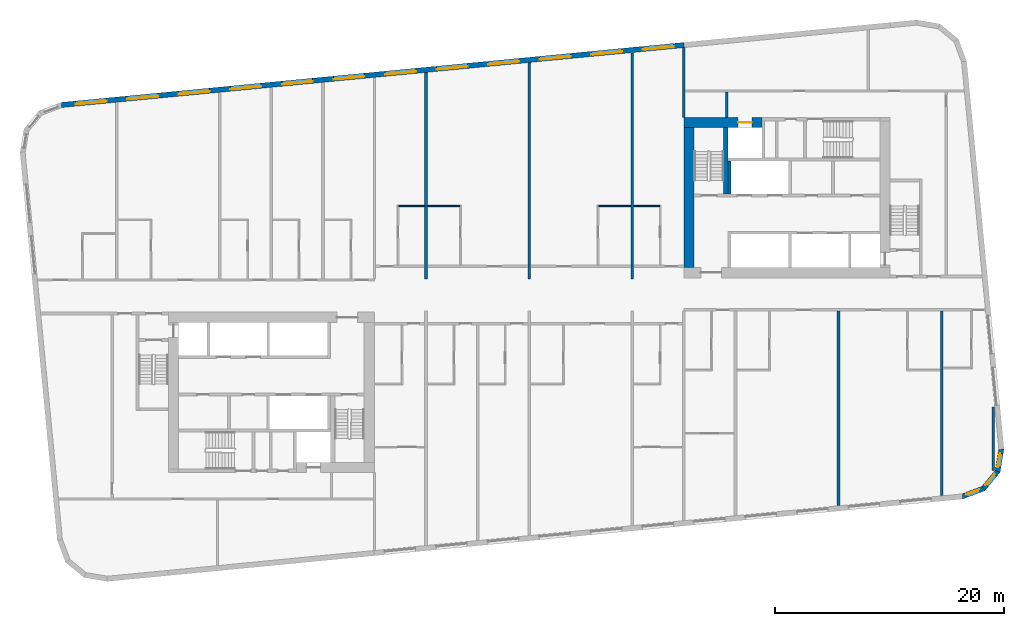
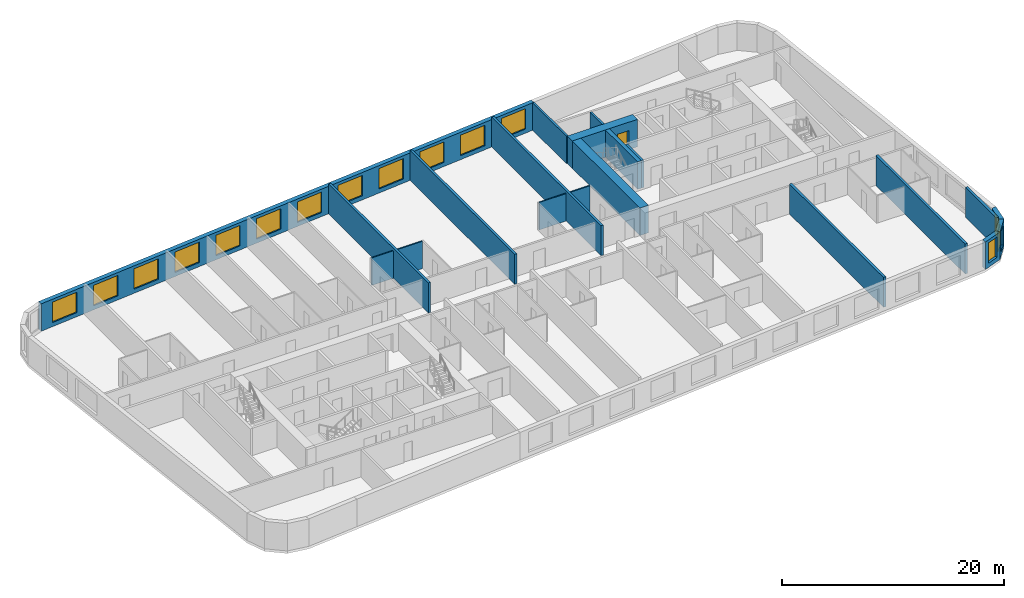
# One storey, part 6 of 12: 20 walls, 15 windows, 1 door, 16 openings.
"""IFC4 building model written with IfcOpenShell, lengths in metres."""

from ifc_helpers import new_model, si_unit, direction, frame, frame_2d, origin, place, context, subcontext, project, spatial, polyline, rectangle, outline, extrude, material, layer, layer_set, type_object, element, fill, save


model = new_model("IFC4")

# Units and contexts
model_context = context("Model", 3, precision=1e-05, world=origin(), true_north=direction((0.0, 1.0)))
body_context = subcontext(model_context, "Body", "Model", "MODEL_VIEW")
ifc_project = project(units=[si_unit("LENGTHUNIT", "METRE"), si_unit("AREAUNIT", "SQUARE_METRE"), si_unit("VOLUMEUNIT", "CUBIC_METRE"), si_unit("PLANEANGLEUNIT", "RADIAN"), si_unit("MASSUNIT", "GRAM", prefix="KILO")], contexts=[model_context])

# Site, building, storey
site_placement = place(None, origin())
site = spatial("IfcSite", under=ifc_project, at=site_placement, CompositionType="ELEMENT")
building_placement = place(site_placement, origin())
building = spatial("IfcBuilding", under=site, at=building_placement, Name="Kajstack Hotel Tower", CompositionType="ELEMENT")
storey_placement = place(building_placement, frame((0.0, 0.0, 180.10009765625)))
storey = spatial("IfcBuildingStorey", under=building, at=storey_placement, Name="L42", CompositionType="ELEMENT", Elevation=180.10009765625)

# Wall, opening, door
ifc_material_1 = material(Name="Concrete C60/75", Category="concrete")
ifc_layer_1 = layer(ifc_material_1, 0.89990234375)
ifc_layer_set_1 = layer_set([ifc_layer_1], Name="Core wall 900")
wall_type_1 = type_object("IfcWallType", Name="Core wall 900", PredefinedType="SHEAR", material=ifc_layer_set_1)
wall_1_placement = place(storey_placement, frame((13.5, 15.050048828125, 0.0), z_axis=(0.0, 0.0, 1.0), x_axis=(1.0, 0.0, 0.0)))
wall_1 = element("IfcWall", 1, at=wall_1_placement, inside=storey, type_object=wall_type_1, Name="Core wall E RS", PredefinedType="SHEAR", context=body_context, shape_type="SweptSolid", body=[
    extrude(rectangle(XDim=6.800048828125, YDim=0.89990234375, at=frame_2d((3.39990234375, 0.0))), origin(), (0.0, 0.0, 1.0), 3.02001953125),
])
opening_1_placement = place(wall_1_placement, frame((4.72509765625, 0.0, 0.0)))
opening_1 = element("IfcOpeningElement", 2, at=opening_1_placement, cuts=wall_1, Name="Opening LD-SV2", PredefinedType="OPENING", context=body_context, shape_type="SweptSolid", body=[
    extrude(rectangle(XDim=1.199951171875, YDim=2.10009765625, at=frame_2d((0.60009765625, 1.050048828125))), frame((0.0, 0.4599609375, 0.0), z_axis=(0.0, -1.0, 0.0), x_axis=(1.0, 0.0, 0.0)), (0.0, 0.0, 1.0), 0.919921875),
])
ifc_material_2 = material(Name="Stainless steel", Category="steel")
door_type = type_object("IfcDoorType", Name="Lift landing door 1200", OperationType="SLIDING_TO_LEFT", PredefinedType="DOOR", material=ifc_material_2)
door_placement = place(opening_1_placement, origin())
door = element("IfcDoor", 3, at=door_placement, inside=storey, type_object=door_type, Name="Landing door SV2", OperationType="SLIDING_TO_LEFT", OverallHeight=2.10009765625, OverallWidth=1.199951171875, PredefinedType="DOOR", context=body_context, shape_type="SweptSolid", body=[
    extrude(rectangle(XDim=1.199951171875, YDim=2.10009765625, at=frame_2d((0.60009765625, 1.050048828125))), frame((0.0, 0.02490234375, 0.0), z_axis=(0.0, -1.0, 0.0), x_axis=(1.0, 0.0, 0.0)), (0.0, 0.0, 1.0), 0.050048828125),
])
fill(opening_1, door)

# Walls
wall_2_placement = place(storey_placement, frame((13.949951171875, 2.39990234375, 0.0), z_axis=(0.0, 0.0, 1.0), x_axis=(0.0, 1.0, 0.0)))
element("IfcWall", 4, at=wall_2_placement, inside=storey, type_object=wall_type_1, Name="Core wall E RE", PredefinedType="SHEAR", context=body_context, shape_type="SweptSolid", body=[
    extrude(rectangle(XDim=12.2001953125, YDim=0.89990234375, at=frame_2d((6.10009765625, 0.0))), origin(), (0.0, 0.0, 1.0), 3.02001953125),
])
ifc_material_3 = material(Name="Twin-frame gypsum board on steel studs, mineral wool", Category="steel")
ifc_layer_2 = layer(ifc_material_3, 0.199951171875)
ifc_layer_set_2 = layer_set([ifc_layer_2], Name="Demising wall 200")
wall_type_2 = type_object("IfcWallType", Name="Demising wall 200", PredefinedType="PARTITIONING", material=ifc_layer_set_2)
wall_3_placement = place(storey_placement, frame((13.5, 15.5, 0.0), z_axis=(0.0, 0.0, 1.0), x_axis=(0.0, 1.0, 0.0)))
element("IfcWall", 5, at=wall_3_placement, inside=storey, type_object=wall_type_2, Name="G-wall-L42-001", PredefinedType="PARTITIONING", context=body_context, shape_type="SweptSolid", body=[
    extrude(rectangle(XDim=6.089111328125, YDim=0.199951171875, at=frame_2d((3.04443359375, 0.0))), origin(), (0.0, 0.0, 1.0), 3.02001953125),
])

# Wall, opening, window
ifc_material_4 = material(Name="Terracotta-faced brick masonry", Category="masonry")
ifc_layer_3 = layer(ifc_material_4, 0.449951171875)
ifc_layer_set_3 = layer_set([ifc_layer_3], Name="EW-TERRA")
wall_type_3 = type_object("IfcWallType", Name="EW-TERRA", PredefinedType="SOLIDWALL", material=ifc_layer_set_3)
wall_4_placement = place(storey_placement, frame((37.76123046875, -17.598388671875, 0.0), z_axis=(0.0, 0.0, 1.0), x_axis=(0.936677599948, 0.350192909346, 0.0)))
wall_4 = element("IfcWall", 6, at=wall_4_placement, inside=storey, type_object=wall_type_3, Name="E-wall-L42-05-00", PredefinedType="SOLIDWALL", context=body_context, shape_type="SweptSolid", body=[
    extrude(outline(polyline([(0.0, -0.22509765625), (2.070556640625, -0.224853515625), (1.949951171875, 0.22509765625), (0.12060546875, 0.22509765625), (0.0, -0.22509765625)])), origin(), (0.0, 0.0, 1.0), 3.02001953125),
])
opening_2_placement = place(wall_4_placement, frame((0.435302734375, 0.0, 0.449951171875)))
opening_2 = element("IfcOpeningElement", 7, at=opening_2_placement, cuts=wall_4, Name="Opening W3", PredefinedType="OPENING", context=body_context, shape_type="SweptSolid", body=[
    extrude(rectangle(XDim=1.199951171875, YDim=2.25, at=frame_2d((0.60009765625, 1.125))), frame((0.0, 0.23486328125, 0.0), z_axis=(0.0, -1.0, 0.0), x_axis=(1.0, 0.0, 0.0)), (0.0, 0.0, 1.0), 0.469970703125),
])
ifc_material_5 = material(Name="Timber-aluminium window, triple glazed", Category="wood")
window_type_1 = type_object("IfcWindowType", Name="WG3", PartitioningType="SINGLE_PANEL", PredefinedType="WINDOW", material=ifc_material_5)
window_1_placement = place(opening_2_placement, origin())
window_1 = element("IfcWindow", 8, at=window_1_placement, inside=storey, type_object=window_type_1, Name="Window W3 L42-05", OverallHeight=2.25, OverallWidth=1.199951171875, PartitioningType="SINGLE_PANEL", PredefinedType="WINDOW", context=body_context, shape_type="SweptSolid", body=[
    extrude(rectangle(XDim=1.199951171875, YDim=2.25, at=frame_2d((0.60009765625, 1.125))), frame((0.0, 0.090087890625, 0.0), z_axis=(0.0, -1.0, 0.0), x_axis=(1.0, 0.0, 0.0)), (0.0, 0.0, 1.0), 0.06005859375),
])
fill(opening_2, window_1)

wall_5_placement = place(storey_placement, frame((39.60595703125, -16.94091796875, 0.0), z_axis=(0.0, 0.0, 1.0), x_axis=(0.636116318187, 0.771593176315, 0.0)))
wall_5 = element("IfcWall", 9, at=wall_5_placement, inside=storey, type_object=wall_type_3, Name="E-wall-L42-06-00", PredefinedType="SOLIDWALL", context=body_context, shape_type="SweptSolid", body=[
    extrude(outline(polyline([(0.0, -0.224853515625), (2.070556640625, -0.224853515625), (1.949951171875, 0.22509765625), (0.12060546875, 0.22509765625), (0.0, -0.224853515625)])), origin(), (0.0, 0.0, 1.0), 3.02001953125),
])
opening_3_placement = place(wall_5_placement, frame((0.435302734375, 0.0, 0.449951171875)))
opening_3 = element("IfcOpeningElement", 10, at=opening_3_placement, cuts=wall_5, Name="Opening W3", PredefinedType="OPENING", context=body_context, shape_type="SweptSolid", body=[
    extrude(rectangle(XDim=1.199951171875, YDim=2.25, at=frame_2d((0.60009765625, 1.125))), frame((0.0, 0.23486328125, 0.0), z_axis=(0.0, -1.0, 0.0), x_axis=(1.0, 0.0, 0.0)), (0.0, 0.0, 1.0), 0.469970703125),
])
window_2_placement = place(opening_3_placement, origin())
window_2 = element("IfcWindow", 11, at=window_2_placement, inside=storey, type_object=window_type_1, Name="Window W3 L42-06", OverallHeight=2.25, OverallWidth=1.199951171875, PartitioningType="SINGLE_PANEL", PredefinedType="WINDOW", context=body_context, shape_type="SweptSolid", body=[
    extrude(rectangle(XDim=1.199951171875, YDim=2.25, at=frame_2d((0.60009765625, 1.125))), frame((0.0, 0.090087890625, 0.0), z_axis=(0.0, -1.0, 0.0), x_axis=(1.0, 0.0, 0.0)), (0.0, 0.0, 1.0), 0.06005859375),
])
fill(opening_3, window_2)

wall_6_placement = place(storey_placement, frame((40.874755859375, -15.44921875, 0.0), z_axis=(0.0, 0.0, 1.0), x_axis=(0.164953448126, 0.986301353518, 0.0)))
wall_6 = element("IfcWall", 12, at=wall_6_placement, inside=storey, type_object=wall_type_3, Name="E-wall-L42-07-00", PredefinedType="SOLIDWALL", context=body_context, shape_type="SweptSolid", body=[
    extrude(outline(polyline([(0.0, -0.224853515625), (2.070556640625, -0.22509765625), (1.9501953125, 0.224853515625), (0.12060546875, 0.22509765625), (0.0, -0.224853515625)])), origin(), (0.0, 0.0, 1.0), 3.02001953125),
])
opening_4_placement = place(wall_6_placement, frame((0.435302734375, 0.0, 0.449951171875)))
opening_4 = element("IfcOpeningElement", 13, at=opening_4_placement, cuts=wall_6, Name="Opening W3", PredefinedType="OPENING", context=body_context, shape_type="SweptSolid", body=[
    extrude(rectangle(XDim=1.199951171875, YDim=2.25, at=frame_2d((0.60009765625, 1.125))), frame((0.0, 0.23486328125, 0.0), z_axis=(0.0, -1.0, 0.0), x_axis=(1.0, 0.0, 0.0)), (0.0, 0.0, 1.0), 0.469970703125),
])
window_3_placement = place(opening_4_placement, origin())
window_3 = element("IfcWindow", 14, at=window_3_placement, inside=storey, type_object=window_type_1, Name="Window W3 L42-07", OverallHeight=2.25, OverallWidth=1.199951171875, PartitioningType="SINGLE_PANEL", PredefinedType="WINDOW", context=body_context, shape_type="SweptSolid", body=[
    extrude(rectangle(XDim=1.199951171875, YDim=2.25, at=frame_2d((0.60009765625, 1.125))), frame((0.0, 0.090087890625, 0.0), z_axis=(0.0, -1.0, 0.0), x_axis=(1.0, 0.0, 0.0)), (0.0, 0.0, 1.0), 0.06005859375),
])
fill(opening_4, window_3)

# Wall, openings, windows
wall_7_placement = place(storey_placement, frame((13.521484375, 21.8173828125, 0.0), z_axis=(0.0, 0.0, 1.0), x_axis=(-0.995396508751, -0.095842529008, 0.0)))
wall_7 = element("IfcWall", 15, at=wall_7_placement, inside=storey, type_object=wall_type_3, Name="E-wall-L42-12-02", PredefinedType="SOLIDWALL", context=body_context, shape_type="SweptSolid", body=[
    extrude(rectangle(XDim=54.59130859375, YDim=0.449951171875, at=frame_2d((27.295654296875, 0.0))), origin(), (0.0, 0.0, 1.0), 3.02001953125),
])
opening_5_placement = place(wall_7_placement, frame((0.910400390625, 0.0, 0.449951171875)))
opening_5 = element("IfcOpeningElement", 16, at=opening_5_placement, cuts=wall_7, Name="Opening W1", PredefinedType="OPENING", context=body_context, shape_type="SweptSolid", body=[
    extrude(rectangle(XDim=2.699951171875, YDim=2.25, at=frame_2d((1.35009765625, 1.125))), frame((0.0, 0.23486328125, 0.0), z_axis=(0.0, -1.0, 0.0), x_axis=(1.0, 0.0, 0.0)), (0.0, 0.0, 1.0), 0.469970703125),
])
opening_6_placement = place(wall_7_placement, frame((5.43115234375, 0.0, 0.449951171875)))
opening_6 = element("IfcOpeningElement", 17, at=opening_6_placement, cuts=wall_7, Name="Opening W1", PredefinedType="OPENING", context=body_context, shape_type="SweptSolid", body=[
    extrude(rectangle(XDim=2.699951171875, YDim=2.25, at=frame_2d((1.35009765625, 1.125))), frame((0.0, 0.23486328125, 0.0), z_axis=(0.0, -1.0, 0.0), x_axis=(1.0, 0.0, 0.0)), (0.0, 0.0, 1.0), 0.469970703125),
])
opening_7_placement = place(wall_7_placement, frame((9.951904296875, 0.0, 0.449951171875)))
opening_7 = element("IfcOpeningElement", 18, at=opening_7_placement, cuts=wall_7, Name="Opening W1", PredefinedType="OPENING", context=body_context, shape_type="SweptSolid", body=[
    extrude(rectangle(XDim=2.699951171875, YDim=2.25, at=frame_2d((1.35009765625, 1.125))), frame((0.0, 0.23486328125, 0.0), z_axis=(0.0, -1.0, 0.0), x_axis=(1.0, 0.0, 0.0)), (0.0, 0.0, 1.0), 0.469970703125),
])
opening_8_placement = place(wall_7_placement, frame((14.472900390625, 0.0, 0.449951171875)))
opening_8 = element("IfcOpeningElement", 19, at=opening_8_placement, cuts=wall_7, Name="Opening W1", PredefinedType="OPENING", context=body_context, shape_type="SweptSolid", body=[
    extrude(rectangle(XDim=2.699951171875, YDim=2.25, at=frame_2d((1.35009765625, 1.125))), frame((0.0, 0.23486328125, 0.0), z_axis=(0.0, -1.0, 0.0), x_axis=(1.0, 0.0, 0.0)), (0.0, 0.0, 1.0), 0.469970703125),
])
opening_9_placement = place(wall_7_placement, frame((18.99365234375, 0.0, 0.449951171875)))
opening_9 = element("IfcOpeningElement", 20, at=opening_9_placement, cuts=wall_7, Name="Opening W1", PredefinedType="OPENING", context=body_context, shape_type="SweptSolid", body=[
    extrude(rectangle(XDim=2.699951171875, YDim=2.25, at=frame_2d((1.35009765625, 1.125))), frame((0.0, 0.23486328125, 0.0), z_axis=(0.0, -1.0, 0.0), x_axis=(1.0, 0.0, 0.0)), (0.0, 0.0, 1.0), 0.469970703125),
])
opening_10_placement = place(wall_7_placement, frame((23.514404296875, 0.0, 0.449951171875)))
opening_10 = element("IfcOpeningElement", 21, at=opening_10_placement, cuts=wall_7, Name="Opening W1", PredefinedType="OPENING", context=body_context, shape_type="SweptSolid", body=[
    extrude(rectangle(XDim=2.699951171875, YDim=2.25, at=frame_2d((1.35009765625, 1.125))), frame((0.0, 0.23486328125, 0.0), z_axis=(0.0, -1.0, 0.0), x_axis=(1.0, 0.0, 0.0)), (0.0, 0.0, 1.0), 0.469970703125),
])
opening_11_placement = place(wall_7_placement, frame((28.03515625, 0.0, 0.449951171875)))
opening_11 = element("IfcOpeningElement", 22, at=opening_11_placement, cuts=wall_7, Name="Opening W1", PredefinedType="OPENING", context=body_context, shape_type="SweptSolid", body=[
    extrude(rectangle(XDim=2.699951171875, YDim=2.25, at=frame_2d((1.35009765625, 1.125))), frame((0.0, 0.23486328125, 0.0), z_axis=(0.0, -1.0, 0.0), x_axis=(1.0, 0.0, 0.0)), (0.0, 0.0, 1.0), 0.469970703125),
])
opening_12_placement = place(wall_7_placement, frame((32.555908203125, 0.0, 0.449951171875)))
opening_12 = element("IfcOpeningElement", 23, at=opening_12_placement, cuts=wall_7, Name="Opening W1", PredefinedType="OPENING", context=body_context, shape_type="SweptSolid", body=[
    extrude(rectangle(XDim=2.699951171875, YDim=2.25, at=frame_2d((1.35009765625, 1.125))), frame((0.0, 0.23486328125, 0.0), z_axis=(0.0, -1.0, 0.0), x_axis=(1.0, 0.0, 0.0)), (0.0, 0.0, 1.0), 0.469970703125),
])
opening_13_placement = place(wall_7_placement, frame((37.076904296875, 0.0, 0.449951171875)))
opening_13 = element("IfcOpeningElement", 24, at=opening_13_placement, cuts=wall_7, Name="Opening W1", PredefinedType="OPENING", context=body_context, shape_type="SweptSolid", body=[
    extrude(rectangle(XDim=2.699951171875, YDim=2.25, at=frame_2d((1.35009765625, 1.125))), frame((0.0, 0.23486328125, 0.0), z_axis=(0.0, -1.0, 0.0), x_axis=(1.0, 0.0, 0.0)), (0.0, 0.0, 1.0), 0.469970703125),
])
opening_14_placement = place(wall_7_placement, frame((41.59765625, 0.0, 0.449951171875)))
opening_14 = element("IfcOpeningElement", 25, at=opening_14_placement, cuts=wall_7, Name="Opening W1", PredefinedType="OPENING", context=body_context, shape_type="SweptSolid", body=[
    extrude(rectangle(XDim=2.699951171875, YDim=2.25, at=frame_2d((1.35009765625, 1.125))), frame((0.0, 0.23486328125, 0.0), z_axis=(0.0, -1.0, 0.0), x_axis=(1.0, 0.0, 0.0)), (0.0, 0.0, 1.0), 0.469970703125),
])
opening_15_placement = place(wall_7_placement, frame((46.118408203125, 0.0, 0.449951171875)))
opening_15 = element("IfcOpeningElement", 26, at=opening_15_placement, cuts=wall_7, Name="Opening W1", PredefinedType="OPENING", context=body_context, shape_type="SweptSolid", body=[
    extrude(rectangle(XDim=2.699951171875, YDim=2.25, at=frame_2d((1.35009765625, 1.125))), frame((0.0, 0.23486328125, 0.0), z_axis=(0.0, -1.0, 0.0), x_axis=(1.0, 0.0, 0.0)), (0.0, 0.0, 1.0), 0.469970703125),
])
opening_16_placement = place(wall_7_placement, frame((50.62890625, 0.0, 0.449951171875)))
opening_16 = element("IfcOpeningElement", 27, at=opening_16_placement, cuts=wall_7, Name="Opening W1", PredefinedType="OPENING", context=body_context, shape_type="SweptSolid", body=[
    extrude(rectangle(XDim=2.699951171875, YDim=2.25, at=frame_2d((1.35009765625, 1.125))), frame((0.0, 0.23486328125, 0.0), z_axis=(0.0, -1.0, 0.0), x_axis=(1.0, 0.0, 0.0)), (0.0, 0.0, 1.0), 0.469970703125),
])
window_type_2 = type_object("IfcWindowType", Name="WG1", PartitioningType="SINGLE_PANEL", PredefinedType="WINDOW", material=ifc_material_5)
window_4_placement = place(opening_5_placement, origin())
window_4 = element("IfcWindow", 28, at=window_4_placement, inside=storey, type_object=window_type_2, Name="Window W1 L42-12", OverallHeight=2.25, OverallWidth=2.699951171875, PartitioningType="SINGLE_PANEL", PredefinedType="WINDOW", context=body_context, shape_type="SweptSolid", body=[
    extrude(rectangle(XDim=2.699951171875, YDim=2.25, at=frame_2d((1.35009765625, 1.125))), frame((0.0, 0.090087890625, 0.0), z_axis=(0.0, -1.0, 0.0), x_axis=(1.0, 0.0, 0.0)), (0.0, 0.0, 1.0), 0.06005859375),
])
fill(opening_5, window_4)
window_5_placement = place(opening_6_placement, origin())
window_5 = element("IfcWindow", 29, at=window_5_placement, inside=storey, type_object=window_type_2, Name="Window W1 L42-12", OverallHeight=2.25, OverallWidth=2.699951171875, PartitioningType="SINGLE_PANEL", PredefinedType="WINDOW", context=body_context, shape_type="SweptSolid", body=[
    extrude(rectangle(XDim=2.699951171875, YDim=2.25, at=frame_2d((1.35009765625, 1.125))), frame((0.0, 0.090087890625, 0.0), z_axis=(0.0, -1.0, 0.0), x_axis=(1.0, 0.0, 0.0)), (0.0, 0.0, 1.0), 0.06005859375),
])
fill(opening_6, window_5)
window_6_placement = place(opening_7_placement, origin())
window_6 = element("IfcWindow", 30, at=window_6_placement, inside=storey, type_object=window_type_2, Name="Window W1 L42-12", OverallHeight=2.25, OverallWidth=2.699951171875, PartitioningType="SINGLE_PANEL", PredefinedType="WINDOW", context=body_context, shape_type="SweptSolid", body=[
    extrude(rectangle(XDim=2.699951171875, YDim=2.25, at=frame_2d((1.35009765625, 1.125))), frame((0.0, 0.090087890625, 0.0), z_axis=(0.0, -1.0, 0.0), x_axis=(1.0, 0.0, 0.0)), (0.0, 0.0, 1.0), 0.06005859375),
])
fill(opening_7, window_6)
window_7_placement = place(opening_8_placement, origin())
window_7 = element("IfcWindow", 31, at=window_7_placement, inside=storey, type_object=window_type_2, Name="Window W1 L42-12", OverallHeight=2.25, OverallWidth=2.699951171875, PartitioningType="SINGLE_PANEL", PredefinedType="WINDOW", context=body_context, shape_type="SweptSolid", body=[
    extrude(rectangle(XDim=2.699951171875, YDim=2.25, at=frame_2d((1.35009765625, 1.125))), frame((0.0, 0.090087890625, 0.0), z_axis=(0.0, -1.0, 0.0), x_axis=(1.0, 0.0, 0.0)), (0.0, 0.0, 1.0), 0.06005859375),
])
fill(opening_8, window_7)
window_8_placement = place(opening_9_placement, origin())
window_8 = element("IfcWindow", 32, at=window_8_placement, inside=storey, type_object=window_type_2, Name="Window W1 L42-12", OverallHeight=2.25, OverallWidth=2.699951171875, PartitioningType="SINGLE_PANEL", PredefinedType="WINDOW", context=body_context, shape_type="SweptSolid", body=[
    extrude(rectangle(XDim=2.699951171875, YDim=2.25, at=frame_2d((1.35009765625, 1.125))), frame((0.0, 0.090087890625, 0.0), z_axis=(0.0, -1.0, 0.0), x_axis=(1.0, 0.0, 0.0)), (0.0, 0.0, 1.0), 0.06005859375),
])
fill(opening_9, window_8)
window_9_placement = place(opening_10_placement, origin())
window_9 = element("IfcWindow", 33, at=window_9_placement, inside=storey, type_object=window_type_2, Name="Window W1 L42-12", OverallHeight=2.25, OverallWidth=2.699951171875, PartitioningType="SINGLE_PANEL", PredefinedType="WINDOW", context=body_context, shape_type="SweptSolid", body=[
    extrude(rectangle(XDim=2.699951171875, YDim=2.25, at=frame_2d((1.35009765625, 1.125))), frame((0.0, 0.090087890625, 0.0), z_axis=(0.0, -1.0, 0.0), x_axis=(1.0, 0.0, 0.0)), (0.0, 0.0, 1.0), 0.06005859375),
])
fill(opening_10, window_9)
window_10_placement = place(opening_11_placement, origin())
window_10 = element("IfcWindow", 34, at=window_10_placement, inside=storey, type_object=window_type_2, Name="Window W1 L42-12", OverallHeight=2.25, OverallWidth=2.699951171875, PartitioningType="SINGLE_PANEL", PredefinedType="WINDOW", context=body_context, shape_type="SweptSolid", body=[
    extrude(rectangle(XDim=2.699951171875, YDim=2.25, at=frame_2d((1.35009765625, 1.125))), frame((0.0, 0.090087890625, 0.0), z_axis=(0.0, -1.0, 0.0), x_axis=(1.0, 0.0, 0.0)), (0.0, 0.0, 1.0), 0.06005859375),
])
fill(opening_11, window_10)
window_11_placement = place(opening_12_placement, origin())
window_11 = element("IfcWindow", 35, at=window_11_placement, inside=storey, type_object=window_type_2, Name="Window W1 L42-12", OverallHeight=2.25, OverallWidth=2.699951171875, PartitioningType="SINGLE_PANEL", PredefinedType="WINDOW", context=body_context, shape_type="SweptSolid", body=[
    extrude(rectangle(XDim=2.699951171875, YDim=2.25, at=frame_2d((1.35009765625, 1.125))), frame((0.0, 0.090087890625, 0.0), z_axis=(0.0, -1.0, 0.0), x_axis=(1.0, 0.0, 0.0)), (0.0, 0.0, 1.0), 0.06005859375),
])
fill(opening_12, window_11)
window_12_placement = place(opening_13_placement, origin())
window_12 = element("IfcWindow", 36, at=window_12_placement, inside=storey, type_object=window_type_2, Name="Window W1 L42-12", OverallHeight=2.25, OverallWidth=2.699951171875, PartitioningType="SINGLE_PANEL", PredefinedType="WINDOW", context=body_context, shape_type="SweptSolid", body=[
    extrude(rectangle(XDim=2.699951171875, YDim=2.25, at=frame_2d((1.35009765625, 1.125))), frame((0.0, 0.090087890625, 0.0), z_axis=(0.0, -1.0, 0.0), x_axis=(1.0, 0.0, 0.0)), (0.0, 0.0, 1.0), 0.06005859375),
])
fill(opening_13, window_12)
window_13_placement = place(opening_14_placement, origin())
window_13 = element("IfcWindow", 37, at=window_13_placement, inside=storey, type_object=window_type_2, Name="Window W1 L42-12", OverallHeight=2.25, OverallWidth=2.699951171875, PartitioningType="SINGLE_PANEL", PredefinedType="WINDOW", context=body_context, shape_type="SweptSolid", body=[
    extrude(rectangle(XDim=2.699951171875, YDim=2.25, at=frame_2d((1.35009765625, 1.125))), frame((0.0, 0.090087890625, 0.0), z_axis=(0.0, -1.0, 0.0), x_axis=(1.0, 0.0, 0.0)), (0.0, 0.0, 1.0), 0.06005859375),
])
fill(opening_14, window_13)
window_14_placement = place(opening_15_placement, origin())
window_14 = element("IfcWindow", 38, at=window_14_placement, inside=storey, type_object=window_type_2, Name="Window W1 L42-12", OverallHeight=2.25, OverallWidth=2.699951171875, PartitioningType="SINGLE_PANEL", PredefinedType="WINDOW", context=body_context, shape_type="SweptSolid", body=[
    extrude(rectangle(XDim=2.699951171875, YDim=2.25, at=frame_2d((1.35009765625, 1.125))), frame((0.0, 0.090087890625, 0.0), z_axis=(0.0, -1.0, 0.0), x_axis=(1.0, 0.0, 0.0)), (0.0, 0.0, 1.0), 0.06005859375),
])
fill(opening_15, window_14)
window_15_placement = place(opening_16_placement, origin())
window_15 = element("IfcWindow", 39, at=window_15_placement, inside=storey, type_object=window_type_2, Name="Window W1 L42-12", OverallHeight=2.25, OverallWidth=2.699951171875, PartitioningType="SINGLE_PANEL", PredefinedType="WINDOW", context=body_context, shape_type="SweptSolid", body=[
    extrude(rectangle(XDim=2.699951171875, YDim=2.25, at=frame_2d((1.35009765625, 1.125))), frame((0.0, 0.090087890625, 0.0), z_axis=(0.0, -1.0, 0.0), x_axis=(1.0, 0.0, 0.0)), (0.0, 0.0, 1.0), 0.06005859375),
])
fill(opening_16, window_15)

# Walls
ifc_material_6 = material(Name="Gypsum board and tiled backer on steel studs", Category="steel")
ifc_layer_4 = layer(ifc_material_6, 0.125)
ifc_layer_set_4 = layer_set([ifc_layer_4], Name="En-suite wall 125")
wall_type_4 = type_object("IfcWallType", Name="En-suite wall 125", PredefinedType="PARTITIONING", material=ifc_layer_set_4)
wall_8_placement = place(storey_placement, frame((-11.375, 7.761962890625, 0.0), z_axis=(0.0, 0.0, 1.0), x_axis=(1.0, 0.0, 0.0)))
element("IfcWall", 40, at=wall_8_placement, inside=storey, type_object=wall_type_4, Name="G-wall-L42-018", PredefinedType="PARTITIONING", context=body_context, shape_type="SweptSolid", body=[
    extrude(rectangle(XDim=2.25, YDim=0.125, at=frame_2d((1.125, 0.0))), origin(), (0.0, 0.0, 1.0), 3.02001953125),
])
for number, where, z_axis, x_axis, name in (
    (41, (-8.875, 7.761962890625, 0.0), (0.0, 0.0, 1.0), (1.0, 0.0, 0.0), "G-wall-L42-020"),
    (42, (6.074951171875, 7.761962890625, 0.0), (0.0, 0.0, 1.0), (1.0, 0.0, 0.0), "G-wall-L42-022"),
):
    element("IfcWall", number, at=place(storey_placement, frame(where, z_axis=z_axis, x_axis=x_axis)), inside=storey, type_object=wall_type_4, Name=name, PredefinedType="PARTITIONING", context=body_context, shape_type="SweptSolid", body=[
        extrude(rectangle(XDim=2.800048828125, YDim=0.125, at=frame_2d((1.39990234375, 0.0))), origin(), (0.0, 0.0, 1.0), 3.02001953125),
    ])
wall_9_placement = place(storey_placement, frame((9.125, 7.761962890625, 0.0), z_axis=(0.0, 0.0, 1.0), x_axis=(1.0, 0.0, 0.0)))
element("IfcWall", 43, at=wall_9_placement, inside=storey, type_object=wall_type_4, Name="G-wall-L42-024", PredefinedType="PARTITIONING", context=body_context, shape_type="SweptSolid", body=[
    extrude(rectangle(XDim=2.25, YDim=0.125, at=frame_2d((1.125, 0.0))), origin(), (0.0, 0.0, 1.0), 3.02001953125),
])
ifc_material_7 = material(Name="Concrete C50/60", Category="concrete")
ifc_layer_5 = layer(ifc_material_7, 0.25)
ifc_layer_set_5 = layer_set([ifc_layer_5], Name="RC cross wall 250 C50/60")
wall_type_5 = type_object("IfcWallType", Name="RC cross wall 250 C50/60", PredefinedType="SHEAR", material=ifc_layer_set_5)
wall_10_placement = place(storey_placement, frame((-9.0, 1.39990234375, 0.0), z_axis=(0.0, 0.0, 1.0), x_axis=(0.0, 1.0, 0.0)))
element("IfcWall", 44, at=wall_10_placement, inside=storey, type_object=wall_type_5, Name="S-wall-L42-05", PredefinedType="SHEAR", context=body_context, shape_type="SweptSolid", body=[
    extrude(rectangle(XDim=18.0009765625, YDim=0.25, at=frame_2d((9.00048828125, 0.0))), origin(), (0.0, 0.0, 1.0), 3.2998046875),
])
wall_11_placement = place(storey_placement, frame((0.0, 1.39990234375, 0.0), z_axis=(0.0, 0.0, 1.0), x_axis=(0.0, 1.0, 0.0)))
element("IfcWall", 45, at=wall_11_placement, inside=storey, type_object=wall_type_5, Name="S-wall-L42-07", PredefinedType="SHEAR", context=body_context, shape_type="SweptSolid", body=[
    extrude(rectangle(XDim=18.867431640625, YDim=0.25, at=frame_2d((9.43359375, 0.0))), origin(), (0.0, 0.0, 1.0), 3.2998046875),
])
wall_12_placement = place(storey_placement, frame((9.0, 1.39990234375, 0.0), z_axis=(0.0, 0.0, 1.0), x_axis=(0.0, 1.0, 0.0)))
element("IfcWall", 46, at=wall_12_placement, inside=storey, type_object=wall_type_5, Name="S-wall-L42-09", PredefinedType="SHEAR", context=body_context, shape_type="SweptSolid", body=[
    extrude(rectangle(XDim=19.734130859375, YDim=0.25, at=frame_2d((9.8671875, 0.0))), origin(), (0.0, 0.0, 1.0), 3.2998046875),
])
wall_13_placement = place(storey_placement, frame((27.0, -18.378662109375, 0.0), z_axis=(0.0, 0.0, 1.0), x_axis=(0.0, 1.0, 0.0)))
element("IfcWall", 47, at=wall_13_placement, inside=storey, type_object=wall_type_5, Name="S-wall-L42-11", PredefinedType="SHEAR", context=body_context, shape_type="SweptSolid", body=[
    extrude(rectangle(XDim=16.978759765625, YDim=0.25, at=frame_2d((8.4892578125, 0.0))), origin(), (0.0, 0.0, 1.0), 3.2998046875),
])
wall_14_placement = place(storey_placement, frame((36.0, -17.51220703125, 0.0), z_axis=(0.0, 0.0, 1.0), x_axis=(0.0, 1.0, 0.0)))
element("IfcWall", 48, at=wall_14_placement, inside=storey, type_object=wall_type_5, Name="S-wall-L42-12", PredefinedType="SHEAR", context=body_context, shape_type="SweptSolid", body=[
    extrude(rectangle(XDim=16.1123046875, YDim=0.25, at=frame_2d((8.05615234375, 0.0))), origin(), (0.0, 0.0, 1.0), 3.2998046875),
])
wall_15_placement = place(storey_placement, frame((40.5, -15.335205078125, 0.0), z_axis=(0.0, 0.0, 1.0), x_axis=(0.0, 1.0, 0.0)))
element("IfcWall", 49, at=wall_15_placement, inside=storey, type_object=wall_type_5, Name="S-wall-L42-13", PredefinedType="SHEAR", context=body_context, shape_type="SweptSolid", body=[
    extrude(rectangle(XDim=5.5380859375, YDim=0.25, at=frame_2d((2.76904296875, 0.0))), origin(), (0.0, 0.0, 1.0), 3.2998046875),
])
ifc_material_8 = material(Name="Gypsum board on steel studs, mineral wool", Category="steel")
ifc_layer_6 = layer(ifc_material_8, 0.199951171875)
ifc_layer_set_6 = layer_set([ifc_layer_6], Name="Service partition 200")
wall_type_6 = type_object("IfcWallType", Name="Service partition 200", PredefinedType="PARTITIONING", material=ifc_layer_set_6)
wall_16_placement = place(storey_placement, frame((17.25, 15.5, 0.0), z_axis=(0.0, 0.0, 1.0), x_axis=(0.0, 1.0, 0.0)))
element("IfcWall", 50, at=wall_16_placement, inside=storey, type_object=wall_type_6, Name="Partition E SCE", PredefinedType="PARTITIONING", context=body_context, shape_type="SweptSolid", body=[
    extrude(rectangle(XDim=2.199951171875, YDim=0.199951171875, at=frame_2d((1.10009765625, 0.0))), origin(), (0.0, 0.0, 1.0), 3.02001953125),
])
ifc_layer_7 = layer(ifc_material_7, 0.25)
ifc_layer_set_7 = layer_set([ifc_layer_7], Name="Shaft wall 250")
wall_type_7 = type_object("IfcWallType", Name="Shaft wall 250", PredefinedType="SHEAR", material=ifc_layer_set_7)
wall_17_placement = place(storey_placement, frame((17.47509765625, 8.800048828125, 0.0), z_axis=(0.0, 0.0, 1.0), x_axis=(0.0, 1.0, 0.0)))
element("IfcWall", 51, at=wall_17_placement, inside=storey, type_object=wall_type_7, Name="Core wall E BE", PredefinedType="SHEAR", context=body_context, shape_type="SweptSolid", body=[
    extrude(rectangle(XDim=2.89990234375, YDim=0.25, at=frame_2d((1.449951171875, 0.0))), origin(), (0.0, 0.0, 1.0), 3.02001953125),
])
ifc_layer_8 = layer(ifc_material_7, 0.39990234375)
ifc_layer_set_8 = layer_set([ifc_layer_8], Name="Stair wall 400")
wall_type_8 = type_object("IfcWallType", Name="Stair wall 400", PredefinedType="SHEAR", material=ifc_layer_set_8)
wall_18_placement = place(storey_placement, frame((17.14990234375, 8.800048828125, 0.0), z_axis=(0.0, 0.0, 1.0), x_axis=(0.0, 1.0, 0.0)))
element("IfcWall", 52, at=wall_18_placement, inside=storey, type_object=wall_type_8, Name="Core wall E WW2", PredefinedType="SHEAR", context=body_context, shape_type="SweptSolid", body=[
    extrude(rectangle(XDim=5.800048828125, YDim=0.39990234375, at=frame_2d((2.89990234375, 0.0))), origin(), (0.0, 0.0, 1.0), 3.02001953125),
])

save(model, "model.ifc")
